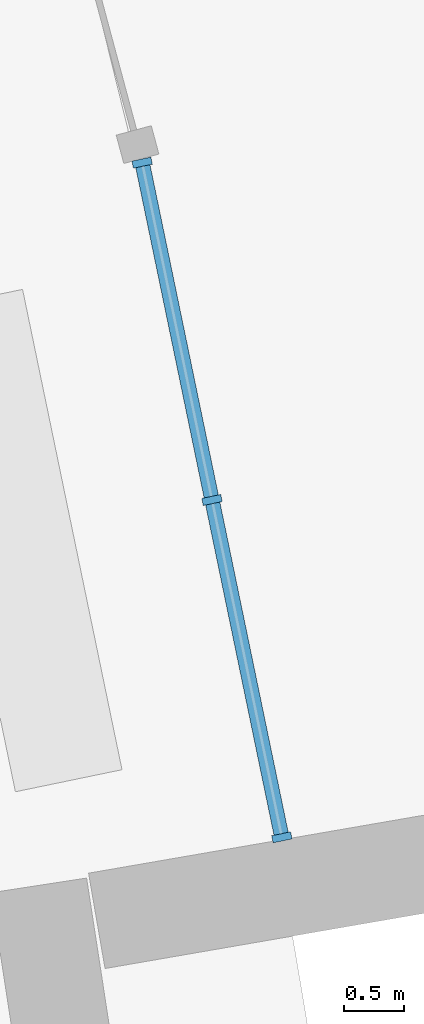
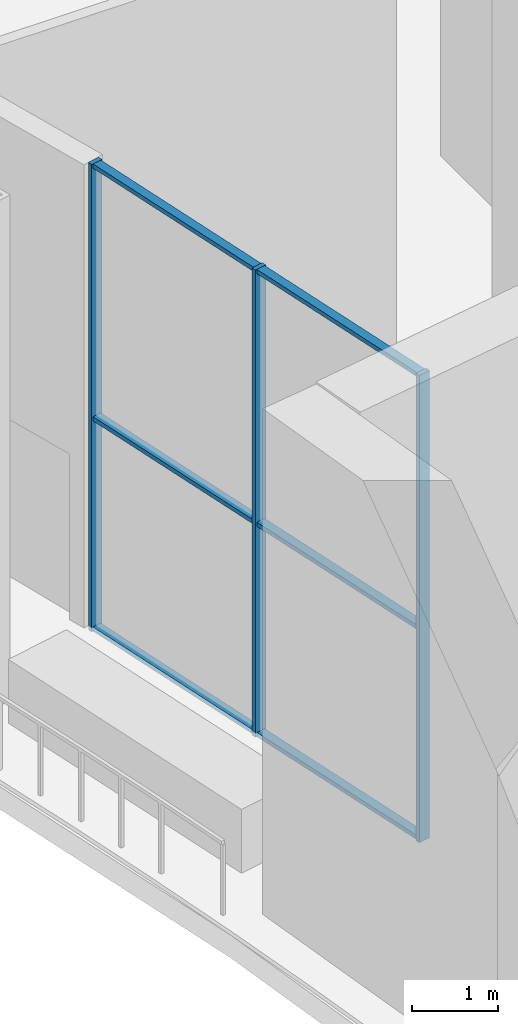
# One storey, part 5 of 18: 9 members, 1 element without a shape of its own.
"""IFC4 building model written with IfcOpenShell, lengths in metres."""

from ifc_helpers import new_model, si_unit, direction, frame, origin, origin_2d, place, context, subcontext, project, spatial, rectangle, extrude, material, layer, layer_set, material_profile, profile_set, type_object, element, aggregate, save


model = new_model("IFC4")

# Units and contexts
model_context = context("Model", 3, precision=1e-05, world=origin(), true_north=direction((0.0, 1.0)))
body_context = subcontext(model_context, "Body", "Model", "MODEL_VIEW")
ifc_project = project(units=[si_unit("LENGTHUNIT", "METRE"), si_unit("AREAUNIT", "SQUARE_METRE"), si_unit("VOLUMEUNIT", "CUBIC_METRE"), si_unit("PLANEANGLEUNIT", "RADIAN"), si_unit("MASSUNIT", "GRAM", prefix="KILO")], contexts=[model_context])

# Site, building, storey
site_placement = place(None, origin())
site = spatial("IfcSite", under=ifc_project, at=site_placement, CompositionType="ELEMENT")
building_placement = place(site_placement, origin())
building = spatial("IfcBuilding", under=site, at=building_placement, Name="Alderwake Tower", CompositionType="ELEMENT")
storey_placement = place(building_placement, frame((0.0, 0.0, 125.60009765625)))
storey = spatial("IfcBuildingStorey", under=building, at=storey_placement, Name="L31", CompositionType="ELEMENT", Elevation=125.60009765625)

# Curtain wall, members
ifc_material_1 = material(Name="Bronze tinted glass in aluminium frame", Category="aluminium")
ifc_layer = layer(ifc_material_1, 0.199951171875)
ifc_layer_set = layer_set([ifc_layer], Name="Curtain wall CW3 sky garden glazing")
curtain_wall_type = type_object("IfcCurtainWallType", Name="Curtain wall CW3 sky garden glazing", PredefinedType="NOTDEFINED", material=ifc_layer_set)
curtain_wall_placement = place(storey_placement, origin())
curtain_wall = element("IfcCurtainWall", 1, at=curtain_wall_placement, inside=storey, type_object=curtain_wall_type, Name="Curtain wall 1", PredefinedType="NOTDEFINED")
ifc_material_2 = material(Name="Aluminium bronze anodised", Category="aluminium")
ifc_material_profile_1 = material_profile(ifc_material_2, rectangle(XDim=0.159912109375, YDim=0.06005859375, at=origin_2d()), Name="Mullion MUC 60x160")
ifc_profile_set_1 = profile_set([ifc_material_profile_1], Name="Aluminium bronze anodised")
member_type_1 = type_object("IfcMemberType", Name="Mullion MUC 60x160", PredefinedType="MULLION", material=ifc_profile_set_1)
member_1_placement = place(storey_placement, frame((16.27490234375, 83.8486328125, 0.0), z_axis=(0.0, 0.0, 1.0), x_axis=(0.979230349484, 0.202750888158, 0.0)))
member_1 = element("IfcMember", 2, at=member_1_placement, type_object=member_type_1, Name="CW.01 mullion 1", PredefinedType="MULLION", context=body_context, shape_type="SweptSolid", body=[
    extrude(rectangle(XDim=0.159912109375, YDim=0.06005859375, at=origin_2d()), origin(), (0.0, 0.0, 1.0), 6.599853515625),
])
member_2_placement = place(storey_placement, frame((16.8525390625, 81.05859375, 0.0), z_axis=(0.0, 0.0, 1.0), x_axis=(0.979230349484, 0.202750888158, 0.0)))
member_2 = element("IfcMember", 3, at=member_2_placement, type_object=member_type_1, Name="CW.01 mullion 2", PredefinedType="MULLION", context=body_context, shape_type="SweptSolid", body=[
    extrude(rectangle(XDim=0.159912109375, YDim=0.06005859375, at=origin_2d()), origin(), (0.0, 0.0, 1.0), 6.599853515625),
])
member_3_placement = place(storey_placement, frame((17.430419921875, 78.2685546875, 0.0), z_axis=(0.0, 0.0, 1.0), x_axis=(0.979230349484, 0.202750888158, 0.0)))
member_3 = element("IfcMember", 4, at=member_3_placement, type_object=member_type_1, Name="CW.01 mullion 3", PredefinedType="MULLION", context=body_context, shape_type="SweptSolid", body=[
    extrude(rectangle(XDim=0.159912109375, YDim=0.06005859375, at=origin_2d()), origin(), (0.0, 0.0, 1.0), 6.599853515625),
])
ifc_material_3 = material(Name="Aluminium bronze anodised", Category="aluminium")
ifc_material_profile_2 = material_profile(ifc_material_3, rectangle(XDim=0.1201171875, YDim=0.06005859375, at=origin_2d()), Name="Transom TRC 60x120")
ifc_profile_set_2 = profile_set([ifc_material_profile_2], Name="Aluminium bronze anodised")
member_type_2 = type_object("IfcMemberType", Name="Transom TRC 60x120", PredefinedType="USERDEFINED", material=ifc_profile_set_2)
member_4_placement = place(storey_placement, frame((16.281005859375, 83.819091796875, 0.02978515625), z_axis=(0.202811104602, -0.979217879662, 0.0), x_axis=(0.979217879662, 0.202811104602, 0.0)))
member_4 = element("IfcMember", 5, at=member_4_placement, type_object=member_type_2, Name="CW.01 transom 1.1", ObjectType="TRANSOM", PredefinedType="USERDEFINED", context=body_context, shape_type="SweptSolid", body=[
    extrude(rectangle(XDim=0.1201171875, YDim=0.06005859375, at=origin_2d()), origin(), (0.0, 0.0, 1.0), 2.7890625),
])
member_5_placement = place(storey_placement, frame((16.281005859375, 83.819091796875, 3.0), z_axis=(0.202811104602, -0.979217879662, 0.0), x_axis=(0.979217879662, 0.202811104602, 0.0)))
member_5 = element("IfcMember", 6, at=member_5_placement, type_object=member_type_2, Name="CW.01 transom 1.2", ObjectType="TRANSOM", PredefinedType="USERDEFINED", context=body_context, shape_type="SweptSolid", body=[
    extrude(rectangle(XDim=0.1201171875, YDim=0.06005859375, at=origin_2d()), origin(), (0.0, 0.0, 1.0), 2.7890625),
])
member_6_placement = place(storey_placement, frame((16.281005859375, 83.819091796875, 6.56982421875), z_axis=(0.202811104602, -0.979217879662, 0.0), x_axis=(0.979217879662, 0.202811104602, 0.0)))
member_6 = element("IfcMember", 7, at=member_6_placement, type_object=member_type_2, Name="CW.01 transom 1.3", ObjectType="TRANSOM", PredefinedType="USERDEFINED", context=body_context, shape_type="SweptSolid", body=[
    extrude(rectangle(XDim=0.1201171875, YDim=0.06005859375, at=origin_2d()), origin(), (0.0, 0.0, 1.0), 2.7890625),
])
member_7_placement = place(storey_placement, frame((16.858642578125, 81.029052734375, 0.02978515625), z_axis=(0.202811104602, -0.979217879662, 0.0), x_axis=(0.979217879662, 0.202811104602, 0.0)))
member_7 = element("IfcMember", 8, at=member_7_placement, type_object=member_type_2, Name="CW.01 transom 2.1", ObjectType="TRANSOM", PredefinedType="USERDEFINED", context=body_context, shape_type="SweptSolid", body=[
    extrude(rectangle(XDim=0.1201171875, YDim=0.06005859375, at=origin_2d()), origin(), (0.0, 0.0, 1.0), 2.7890625),
])
member_8_placement = place(storey_placement, frame((16.858642578125, 81.029052734375, 3.0), z_axis=(0.202811104602, -0.979217879662, 0.0), x_axis=(0.979217879662, 0.202811104602, 0.0)))
member_8 = element("IfcMember", 9, at=member_8_placement, type_object=member_type_2, Name="CW.01 transom 2.2", ObjectType="TRANSOM", PredefinedType="USERDEFINED", context=body_context, shape_type="SweptSolid", body=[
    extrude(rectangle(XDim=0.1201171875, YDim=0.06005859375, at=origin_2d()), origin(), (0.0, 0.0, 1.0), 2.7890625),
])
member_9_placement = place(storey_placement, frame((16.858642578125, 81.029052734375, 6.56982421875), z_axis=(0.202811104602, -0.979217879662, 0.0), x_axis=(0.979217879662, 0.202811104602, 0.0)))
member_9 = element("IfcMember", 10, at=member_9_placement, type_object=member_type_2, Name="CW.01 transom 2.3", ObjectType="TRANSOM", PredefinedType="USERDEFINED", context=body_context, shape_type="SweptSolid", body=[
    extrude(rectangle(XDim=0.1201171875, YDim=0.06005859375, at=origin_2d()), origin(), (0.0, 0.0, 1.0), 2.7890625),
])
aggregate(curtain_wall, [member_1, member_2, member_3, member_4, member_5, member_6, member_7, member_8, member_9])

save(model, "model.ifc")
